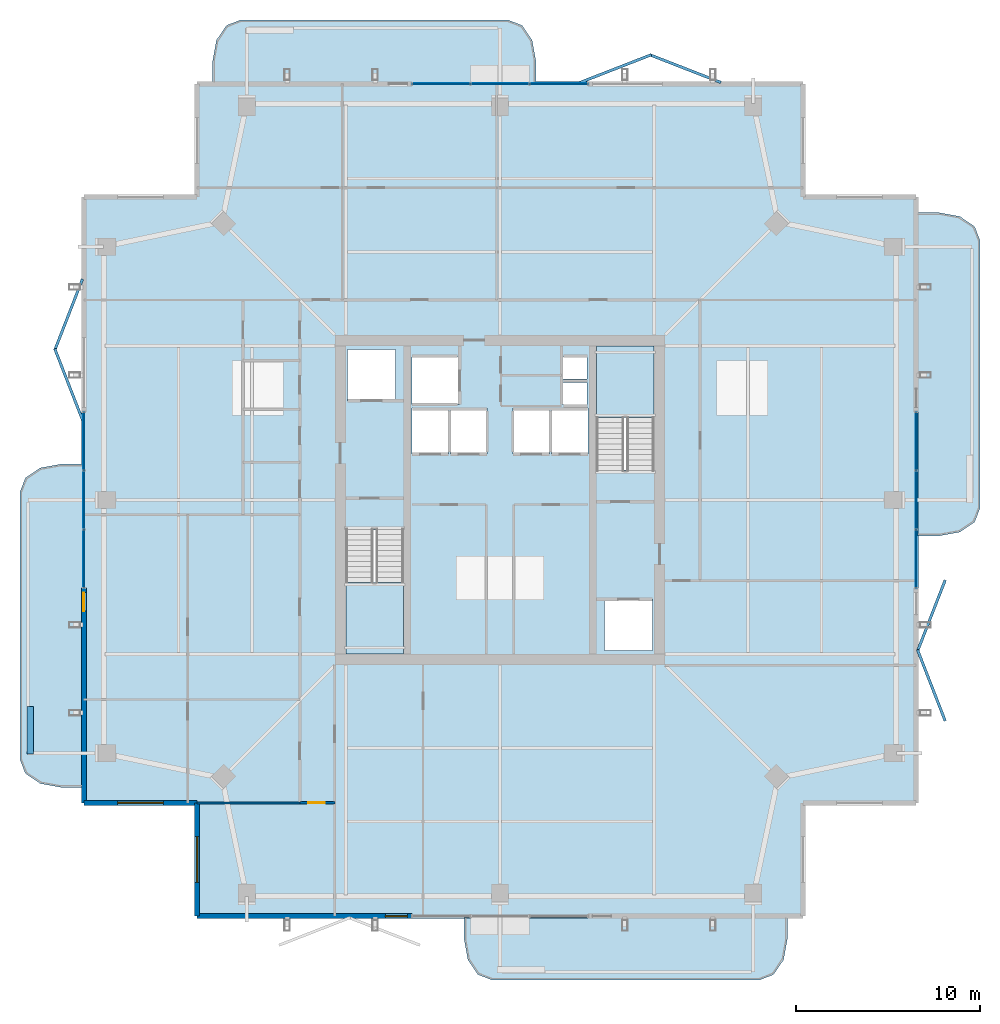
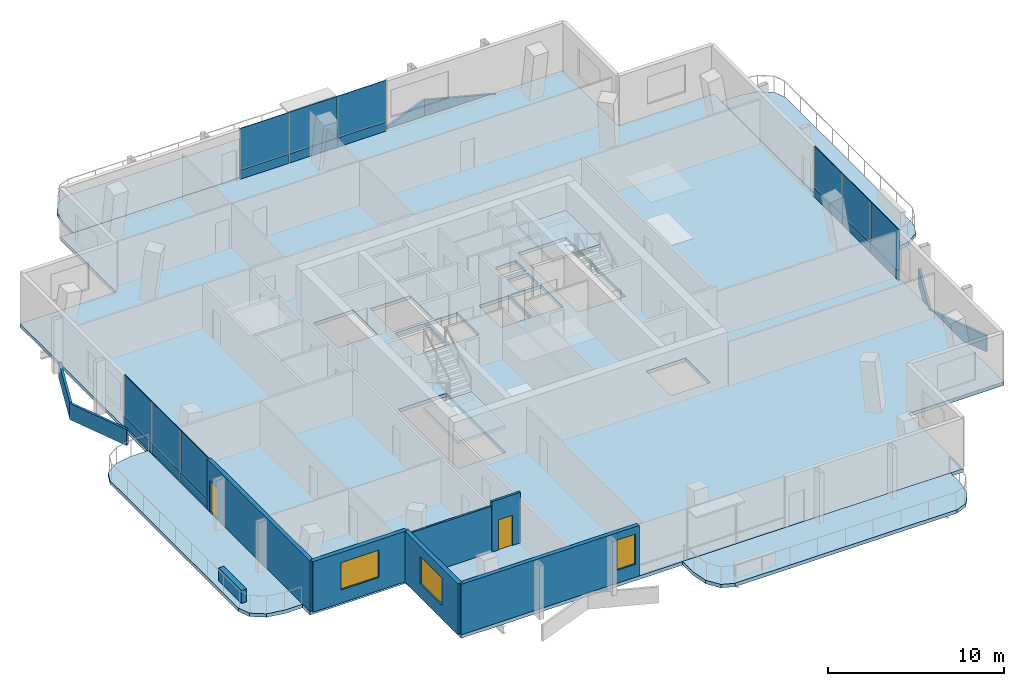
# One storey, part 13 of 20: 24 plates, 7 slabs, 7 walls, 3 windows, 2 doors, 5 openings, 5 elements without a shape of their own.
"""IFC4 building model written with IfcOpenShell, lengths in metres."""

from ifc_helpers import new_model, si_unit, direction, frame, frame_2d, origin, origin_2d, place, context, subcontext, project, spatial, polyline, rectangle, outline, extrude, material, layer, layer_set, type_object, element, fill, aggregate, save


model = new_model("IFC4")

# Units and contexts
model_context = context("Model", 3, precision=1e-05, world=origin(), true_north=direction((0.0, 1.0)))
body_context = subcontext(model_context, "Body", "Model", "MODEL_VIEW")
ifc_project = project(units=[si_unit("LENGTHUNIT", "METRE"), si_unit("AREAUNIT", "SQUARE_METRE"), si_unit("VOLUMEUNIT", "CUBIC_METRE"), si_unit("PLANEANGLEUNIT", "RADIAN"), si_unit("MASSUNIT", "GRAM", prefix="KILO")], contexts=[model_context])

# Site, building, storey
site_placement = place(None, origin())
site = spatial("IfcSite", under=ifc_project, at=site_placement, CompositionType="ELEMENT")
building_placement = place(site_placement, origin())
building = spatial("IfcBuilding", under=site, at=building_placement, Name="Belovzor Exchange Tower", CompositionType="ELEMENT")
storey_placement = place(building_placement, frame((0.0, 0.0, 329.25)))
storey = spatial("IfcBuildingStorey", under=building, at=storey_placement, Name="L82", CompositionType="ELEMENT", Elevation=329.25)

# Slab
ifc_material_1 = material(Name="Concrete C40/50", Category="concrete")
ifc_layer_1 = layer(ifc_material_1, 0.239990234375)
ifc_layer_set_1 = layer_set([ifc_layer_1], Name="Concrete C40/50")
slab_type_1 = type_object("IfcSlabType", Name="Composite High-Rise Floor Deck Slab 240", PredefinedType="FLOOR", material=ifc_layer_set_1)
slab_1_placement = place(storey_placement, frame((0.0, 0.0, -0.239990234375)))
element("IfcSlab", 1, at=slab_1_placement, inside=storey, type_object=slab_type_1, Name="SL-F240 Structural Slab L82", PredefinedType="FLOOR", context=body_context, shape_type="SweptSolid", body=[
    extrude(outline(polyline([(12.300048828125, 6.0), (45.300048828125, 6.0), (45.300048828125, 12.300048828125), (51.60009765625, 12.300048828125), (51.60009765625, 45.300048828125), (45.300048828125, 45.300048828125), (45.300048828125, 51.60009765625), (12.300048828125, 51.60009765625), (12.300048828125, 45.300048828125), (6.0, 45.300048828125), (6.0, 12.300048828125), (12.300048828125, 12.300048828125), (12.300048828125, 6.0)]), holes=[polyline([(20.39990234375, 27.175048828125), (20.39990234375, 20.39990234375), (23.550048828125, 20.39990234375), (23.550048828125, 27.175048828125), (20.39990234375, 27.175048828125)]), polyline([(37.199951171875, 30.425048828125), (37.199951171875, 37.199951171875), (34.050048828125, 37.199951171875), (34.050048828125, 30.425048828125), (37.199951171875, 30.425048828125)]), polyline([(20.5, 34.199951171875), (23.10009765625, 34.199951171875), (23.10009765625, 37.0), (20.5, 37.0), (20.5, 34.199951171875)]), polyline([(34.5, 20.60009765625), (37.10009765625, 20.60009765625), (37.10009765625, 23.39990234375), (34.5, 23.39990234375), (34.5, 20.60009765625)]), polyline([(24.0, 34.0), (26.60009765625, 34.0), (26.60009765625, 36.60009765625), (24.0, 36.60009765625), (24.0, 34.0)]), polyline([(24.0, 31.300048828125), (26.0, 31.300048828125), (26.0, 33.800048828125), (24.0, 33.800048828125), (24.0, 31.300048828125)]), polyline([(26.10009765625, 31.300048828125), (28.10009765625, 31.300048828125), (28.10009765625, 33.800048828125), (26.10009765625, 33.800048828125), (26.10009765625, 31.300048828125)]), polyline([(29.5, 31.300048828125), (31.5, 31.300048828125), (31.5, 33.800048828125), (29.5, 33.800048828125), (29.5, 31.300048828125)]), polyline([(31.60009765625, 31.300048828125), (33.60009765625, 31.300048828125), (33.60009765625, 33.800048828125), (31.60009765625, 33.800048828125), (31.60009765625, 31.300048828125)]), polyline([(32.199951171875, 34.0), (33.550048828125, 34.0), (33.550048828125, 35.199951171875), (32.199951171875, 35.199951171875), (32.199951171875, 34.0)]), polyline([(32.199951171875, 35.39990234375), (33.550048828125, 35.39990234375), (33.550048828125, 36.60009765625), (32.199951171875, 36.60009765625), (32.199951171875, 35.39990234375)])]), origin(), (0.0, 0.0, 1.0), 0.239990234375),
])

# Curtain wall, plates
ifc_material_2 = material(Name="Anodised Aluminium Framing", Category="aluminium")
ifc_layer_2 = layer(ifc_material_2, 0.179931640625)
ifc_layer_set_2 = layer_set([ifc_layer_2], Name="Anodised Aluminium Framing")
curtain_wall_type = type_object("IfcCurtainWallType", Name="Recessed Loggia Low-Iron Triple-Glazed Curtain Wall", PredefinedType="NOTDEFINED", material=ifc_layer_set_2)
curtain_wall_1_placement = place(storey_placement, origin())
curtain_wall_1 = element("IfcCurtainWall", 2, at=curtain_wall_1_placement, inside=storey, type_object=curtain_wall_type, Name="CW3 Recessed Loggia Low-Iron Triple-Glazed Curtain Wall L82", PredefinedType="NOTDEFINED")
ifc_material_3 = material(Name="Solar-Control Triple Glazing", Category="glass")
ifc_layer_3 = layer(ifc_material_3, 0.0439453125)
ifc_layer_set_3 = layer_set([ifc_layer_3], Name="Solar-Control Triple Glazing")
plate_type_1 = type_object("IfcPlateType", Name="Insulated Solar Glazing Curtain Panel 44", PredefinedType="CURTAIN_PANEL", material=ifc_layer_set_3)
plate_1_placement = place(storey_placement, frame((25.60009765625, 51.469970703125, 0.634033203125), z_axis=(0.0, 0.0, 1.0), x_axis=(1.0, 0.0, 0.0)))
plate_1 = element("IfcPlate", 3, at=plate_1_placement, type_object=plate_type_1, Name="GLZ-44 Glazed Curtain Panel 1", PredefinedType="CURTAIN_PANEL", context=body_context, shape_type="SweptSolid", body=[
    extrude(rectangle(XDim=3.18408203125, YDim=0.0439453125, at=origin_2d()), origin(), (0.0, 0.0, 1.0), 2.8759765625),
])
plate_2_placement = place(storey_placement, frame((28.800048828125, 51.469970703125, 0.634033203125), z_axis=(0.0, 0.0, 1.0), x_axis=(1.0, 0.0, 0.0)))
plate_2 = element("IfcPlate", 4, at=plate_2_placement, type_object=plate_type_1, Name="GLZ-44 Glazed Curtain Panel 2", PredefinedType="CURTAIN_PANEL", context=body_context, shape_type="SweptSolid", body=[
    extrude(rectangle(XDim=3.18408203125, YDim=0.0439453125, at=origin_2d()), origin(), (0.0, 0.0, 1.0), 2.8759765625),
])
plate_3_placement = place(storey_placement, frame((32.0, 51.469970703125, 0.634033203125), z_axis=(0.0, 0.0, 1.0), x_axis=(1.0, 0.0, 0.0)))
plate_3 = element("IfcPlate", 5, at=plate_3_placement, type_object=plate_type_1, Name="GLZ-44 Glazed Curtain Panel 3", PredefinedType="CURTAIN_PANEL", context=body_context, shape_type="SweptSolid", body=[
    extrude(rectangle(XDim=3.18408203125, YDim=0.0439453125, at=origin_2d()), origin(), (0.0, 0.0, 1.0), 2.8759765625),
])

curtain_wall_2_placement = place(storey_placement, origin())
curtain_wall_2 = element("IfcCurtainWall", 6, at=curtain_wall_2_placement, inside=storey, type_object=curtain_wall_type, Name="CW3 Recessed Loggia Low-Iron Triple-Glazed Curtain Wall L82", PredefinedType="NOTDEFINED")
plate_4_placement = place(storey_placement, frame((6.1298828125, 25.60009765625, 0.634033203125), z_axis=(0.0, 0.0, 1.0), x_axis=(0.0, 1.0, 0.0)))
plate_4 = element("IfcPlate", 7, at=plate_4_placement, type_object=plate_type_1, Name="GLZ-44 Glazed Curtain Panel 1", PredefinedType="CURTAIN_PANEL", context=body_context, shape_type="SweptSolid", body=[
    extrude(rectangle(XDim=3.18408203125, YDim=0.0439453125, at=origin_2d()), origin(), (0.0, 0.0, 1.0), 2.8759765625),
])
plate_5_placement = place(storey_placement, frame((6.1298828125, 28.800048828125, 0.634033203125), z_axis=(0.0, 0.0, 1.0), x_axis=(0.0, 1.0, 0.0)))
plate_5 = element("IfcPlate", 8, at=plate_5_placement, type_object=plate_type_1, Name="GLZ-44 Glazed Curtain Panel 2", PredefinedType="CURTAIN_PANEL", context=body_context, shape_type="SweptSolid", body=[
    extrude(rectangle(XDim=3.18408203125, YDim=0.0439453125, at=origin_2d()), origin(), (0.0, 0.0, 1.0), 2.8759765625),
])
plate_6_placement = place(storey_placement, frame((6.1298828125, 32.0, 0.634033203125), z_axis=(0.0, 0.0, 1.0), x_axis=(0.0, 1.0, 0.0)))
plate_6 = element("IfcPlate", 9, at=plate_6_placement, type_object=plate_type_1, Name="GLZ-44 Glazed Curtain Panel 3", PredefinedType="CURTAIN_PANEL", context=body_context, shape_type="SweptSolid", body=[
    extrude(rectangle(XDim=3.18408203125, YDim=0.0439453125, at=origin_2d()), origin(), (0.0, 0.0, 1.0), 2.8759765625),
])

curtain_wall_3_placement = place(storey_placement, origin())
curtain_wall_3 = element("IfcCurtainWall", 10, at=curtain_wall_3_placement, inside=storey, type_object=curtain_wall_type, Name="CW3 Recessed Loggia Low-Iron Triple-Glazed Curtain Wall L82", PredefinedType="NOTDEFINED")
plate_7_placement = place(storey_placement, frame((51.469970703125, 32.0, 0.634033203125), z_axis=(0.0, 0.0, 1.0), x_axis=(0.0, -1.0, 0.0)))
plate_7 = element("IfcPlate", 11, at=plate_7_placement, type_object=plate_type_1, Name="GLZ-44 Glazed Curtain Panel 1", PredefinedType="CURTAIN_PANEL", context=body_context, shape_type="SweptSolid", body=[
    extrude(rectangle(XDim=3.18408203125, YDim=0.0439453125, at=origin_2d()), origin(), (0.0, 0.0, 1.0), 2.8759765625),
])
plate_8_placement = place(storey_placement, frame((51.469970703125, 28.800048828125, 0.634033203125), z_axis=(0.0, 0.0, 1.0), x_axis=(0.0, -1.0, 0.0)))
plate_8 = element("IfcPlate", 12, at=plate_8_placement, type_object=plate_type_1, Name="GLZ-44 Glazed Curtain Panel 2", PredefinedType="CURTAIN_PANEL", context=body_context, shape_type="SweptSolid", body=[
    extrude(rectangle(XDim=3.18408203125, YDim=0.0439453125, at=origin_2d()), origin(), (0.0, 0.0, 1.0), 2.8759765625),
])
plate_9_placement = place(storey_placement, frame((51.469970703125, 25.60009765625, 0.634033203125), z_axis=(0.0, 0.0, 1.0), x_axis=(0.0, -1.0, 0.0)))
plate_9 = element("IfcPlate", 13, at=plate_9_placement, type_object=plate_type_1, Name="GLZ-44 Glazed Curtain Panel 3", PredefinedType="CURTAIN_PANEL", context=body_context, shape_type="SweptSolid", body=[
    extrude(rectangle(XDim=3.18408203125, YDim=0.0439453125, at=origin_2d()), origin(), (0.0, 0.0, 1.0), 2.8759765625),
])

# Stair, slab
ifc_material_4 = material(Name="Concrete C40/50", Category="concrete")
stair_type = type_object("IfcStairType", Name="Reinforced Concrete Dogleg Escape Stair 1350", PredefinedType="HALF_TURN_STAIR", material=ifc_material_4)
stair_1_placement = place(storey_placement, origin())
stair_1 = element("IfcStair", 14, at=stair_1_placement, inside=storey, type_object=stair_type, Name="L82 ST-1", PredefinedType="HALF_TURN_STAIR")
ifc_material_5 = material(Name="Concrete C40/50", Category="concrete")
ifc_layer_4 = layer(ifc_material_5, 0.199951171875)
ifc_layer_set_4 = layer_set([ifc_layer_4], Name="Concrete C40/50")
slab_type_2 = type_object("IfcSlabType", Name="Reinforced Concrete Stair Half-Landing Slab 200", PredefinedType="LANDING", material=ifc_layer_set_4)
slab_2_placement = place(storey_placement, frame((0.0, 0.0, 1.675048828125)))
slab_2 = element("IfcSlab", 15, at=slab_2_placement, type_object=slab_type_2, Name="ST-1 landing 1", PredefinedType="LANDING", context=body_context, shape_type="SweptSolid", body=[
    extrude(outline(polyline([(20.39990234375, 24.300048828125), (20.39990234375, 20.39990234375), (23.550048828125, 20.39990234375), (23.550048828125, 24.300048828125), (20.39990234375, 24.300048828125)])), origin(), (0.0, 0.0, 1.0), 0.199951171875),
])
aggregate(stair_1, [slab_2])

stair_2_placement = place(storey_placement, origin())
stair_2 = element("IfcStair", 16, at=stair_2_placement, inside=storey, type_object=stair_type, Name="L82 ST-2", PredefinedType="HALF_TURN_STAIR")
slab_3_placement = place(storey_placement, frame((0.0, 0.0, 1.675048828125)))
slab_3 = element("IfcSlab", 17, at=slab_3_placement, type_object=slab_type_2, Name="ST-2 landing 1", PredefinedType="LANDING", context=body_context, shape_type="SweptSolid", body=[
    extrude(outline(polyline([(37.199951171875, 33.300048828125), (37.199951171875, 37.199951171875), (34.050048828125, 37.199951171875), (34.050048828125, 33.300048828125), (37.199951171875, 33.300048828125)])), origin(), (0.0, 0.0, 1.0), 0.199951171875),
])
aggregate(stair_2, [slab_3])

# Plate
ifc_material_6 = material(Name="Extruded Architectural Terracotta", Category="masonry")
ifc_layer_5 = layer(ifc_material_6, 0.090087890625)
ifc_layer_set_5 = layer_set([ifc_layer_5], Name="Extruded Architectural Terracotta")
plate_type_2 = type_object("IfcPlateType", Name="Terracotta Shadow-Box Spandrel Panel 90", PredefinedType="CURTAIN_PANEL", material=ifc_layer_set_5)
plate_10_placement = place(storey_placement, frame((25.60009765625, 51.469970703125, 0.0), z_axis=(0.0, 0.0, 1.0), x_axis=(1.0, 0.0, 0.0)))
plate_10 = element("IfcPlate", 18, at=plate_10_placement, type_object=plate_type_2, Name="SPD-90 Spandrel Panel 1", PredefinedType="CURTAIN_PANEL", context=body_context, shape_type="SweptSolid", body=[
    extrude(rectangle(XDim=3.18408203125, YDim=0.090087890625, at=origin_2d()), origin(), (0.0, 0.0, 1.0), 0.6298828125),
])

plate_11_placement = place(storey_placement, frame((28.800048828125, 51.469970703125, 0.0), z_axis=(0.0, 0.0, 1.0), x_axis=(1.0, 0.0, 0.0)))
plate_11 = element("IfcPlate", 19, at=plate_11_placement, type_object=plate_type_2, Name="SPD-90 Spandrel Panel 2", PredefinedType="CURTAIN_PANEL", context=body_context, shape_type="SweptSolid", body=[
    extrude(rectangle(XDim=3.18408203125, YDim=0.090087890625, at=origin_2d()), origin(), (0.0, 0.0, 1.0), 0.6298828125),
])

plate_12_placement = place(storey_placement, frame((32.0, 51.469970703125, 0.0), z_axis=(0.0, 0.0, 1.0), x_axis=(1.0, 0.0, 0.0)))
plate_12 = element("IfcPlate", 20, at=plate_12_placement, type_object=plate_type_2, Name="SPD-90 Spandrel Panel 3", PredefinedType="CURTAIN_PANEL", context=body_context, shape_type="SweptSolid", body=[
    extrude(rectangle(XDim=3.18408203125, YDim=0.090087890625, at=origin_2d()), origin(), (0.0, 0.0, 1.0), 0.6298828125),
])

aggregate(curtain_wall_1, [plate_10, plate_1, plate_11, plate_2, plate_12, plate_3])

plate_13_placement = place(storey_placement, frame((6.1298828125, 25.60009765625, 0.0), z_axis=(0.0, 0.0, 1.0), x_axis=(0.0, 1.0, 0.0)))
plate_13 = element("IfcPlate", 21, at=plate_13_placement, type_object=plate_type_2, Name="SPD-90 Spandrel Panel 1", PredefinedType="CURTAIN_PANEL", context=body_context, shape_type="SweptSolid", body=[
    extrude(rectangle(XDim=3.18408203125, YDim=0.090087890625, at=origin_2d()), origin(), (0.0, 0.0, 1.0), 0.6298828125),
])

plate_14_placement = place(storey_placement, frame((6.1298828125, 28.800048828125, 0.0), z_axis=(0.0, 0.0, 1.0), x_axis=(0.0, 1.0, 0.0)))
plate_14 = element("IfcPlate", 22, at=plate_14_placement, type_object=plate_type_2, Name="SPD-90 Spandrel Panel 2", PredefinedType="CURTAIN_PANEL", context=body_context, shape_type="SweptSolid", body=[
    extrude(rectangle(XDim=3.18408203125, YDim=0.090087890625, at=origin_2d()), origin(), (0.0, 0.0, 1.0), 0.6298828125),
])

plate_15_placement = place(storey_placement, frame((6.1298828125, 32.0, 0.0), z_axis=(0.0, 0.0, 1.0), x_axis=(0.0, 1.0, 0.0)))
plate_15 = element("IfcPlate", 23, at=plate_15_placement, type_object=plate_type_2, Name="SPD-90 Spandrel Panel 3", PredefinedType="CURTAIN_PANEL", context=body_context, shape_type="SweptSolid", body=[
    extrude(rectangle(XDim=3.18408203125, YDim=0.090087890625, at=origin_2d()), origin(), (0.0, 0.0, 1.0), 0.6298828125),
])

aggregate(curtain_wall_2, [plate_13, plate_4, plate_14, plate_5, plate_15, plate_6])

plate_16_placement = place(storey_placement, frame((51.469970703125, 32.0, 0.0), z_axis=(0.0, 0.0, 1.0), x_axis=(0.0, -1.0, 0.0)))
plate_16 = element("IfcPlate", 24, at=plate_16_placement, type_object=plate_type_2, Name="SPD-90 Spandrel Panel 1", PredefinedType="CURTAIN_PANEL", context=body_context, shape_type="SweptSolid", body=[
    extrude(rectangle(XDim=3.18408203125, YDim=0.090087890625, at=origin_2d()), origin(), (0.0, 0.0, 1.0), 0.6298828125),
])

plate_17_placement = place(storey_placement, frame((51.469970703125, 28.800048828125, 0.0), z_axis=(0.0, 0.0, 1.0), x_axis=(0.0, -1.0, 0.0)))
plate_17 = element("IfcPlate", 25, at=plate_17_placement, type_object=plate_type_2, Name="SPD-90 Spandrel Panel 2", PredefinedType="CURTAIN_PANEL", context=body_context, shape_type="SweptSolid", body=[
    extrude(rectangle(XDim=3.18408203125, YDim=0.090087890625, at=origin_2d()), origin(), (0.0, 0.0, 1.0), 0.6298828125),
])

plate_18_placement = place(storey_placement, frame((51.469970703125, 25.60009765625, 0.0), z_axis=(0.0, 0.0, 1.0), x_axis=(0.0, -1.0, 0.0)))
plate_18 = element("IfcPlate", 26, at=plate_18_placement, type_object=plate_type_2, Name="SPD-90 Spandrel Panel 3", PredefinedType="CURTAIN_PANEL", context=body_context, shape_type="SweptSolid", body=[
    extrude(rectangle(XDim=3.18408203125, YDim=0.090087890625, at=origin_2d()), origin(), (0.0, 0.0, 1.0), 0.6298828125),
])

aggregate(curtain_wall_3, [plate_16, plate_7, plate_17, plate_8, plate_18, plate_9])

# Slabs
ifc_material_7 = material(Name="Concrete C40/50", Category="concrete")
ifc_layer_6 = layer(ifc_material_7, 0.239990234375)
ifc_layer_set_6 = layer_set([ifc_layer_6], Name="Concrete C40/50")
slab_type_3 = type_object("IfcSlabType", Name="Thermally Broken Upper Balcony Slab 240", PredefinedType="FLOOR", material=ifc_layer_set_6)
slab_4_placement = place(storey_placement, frame((0.0, 0.0, -0.239990234375)))
element("IfcSlab", 27, at=slab_4_placement, inside=storey, type_object=slab_type_3, Name="SL-BAL220 Planted Balcony Loggia L82 South", PredefinedType="FLOOR", context=body_context, shape_type="SweptSolid", body=[
    extrude(outline(polyline([(26.85009765625, 6.014892578125), (26.85009765625, 4.85009765625), (27.051025390625, 3.75), (27.60009765625, 2.945068359375), (28.35009765625, 2.64990234375), (42.949951171875, 2.64990234375), (43.699951171875, 2.945068359375), (44.2490234375, 3.75), (44.449951171875, 4.85009765625), (44.449951171875, 6.014892578125), (26.85009765625, 6.014892578125)])), origin(), (0.0, 0.0, 1.0), 0.239990234375),
])
slab_5_placement = place(storey_placement, frame((0.0, 0.0, -0.239990234375)))
element("IfcSlab", 28, at=slab_5_placement, inside=storey, type_object=slab_type_3, Name="SL-BAL220 Planted Balcony Loggia L82 North", PredefinedType="FLOOR", context=body_context, shape_type="SweptSolid", body=[
    extrude(outline(polyline([(30.75, 51.5849609375), (30.75, 52.75), (30.549072265625, 53.85009765625), (30.0, 54.655029296875), (29.25, 54.949951171875), (14.64990234375, 54.949951171875), (13.89990234375, 54.655029296875), (13.35107421875, 53.85009765625), (13.14990234375, 52.75), (13.14990234375, 51.5849609375), (30.75, 51.5849609375)])), origin(), (0.0, 0.0, 1.0), 0.239990234375),
])
slab_6_placement = place(storey_placement, frame((0.0, 0.0, -0.239990234375)))
element("IfcSlab", 29, at=slab_6_placement, inside=storey, type_object=slab_type_3, Name="SL-BAL220 Planted Balcony Loggia L82 East", PredefinedType="FLOOR", context=body_context, shape_type="SweptSolid", body=[
    extrude(outline(polyline([(51.5849609375, 26.85009765625), (52.75, 26.85009765625), (53.85009765625, 27.051025390625), (54.655029296875, 27.60009765625), (54.949951171875, 28.35009765625), (54.949951171875, 42.949951171875), (54.655029296875, 43.699951171875), (53.85009765625, 44.2490234375), (52.75, 44.449951171875), (51.5849609375, 44.449951171875), (51.5849609375, 26.85009765625)])), origin(), (0.0, 0.0, 1.0), 0.239990234375),
])
slab_7_placement = place(storey_placement, frame((0.0, 0.0, -0.239990234375)))
element("IfcSlab", 30, at=slab_7_placement, inside=storey, type_object=slab_type_3, Name="SL-BAL220 Planted Balcony Loggia L82 West", PredefinedType="FLOOR", context=body_context, shape_type="SweptSolid", body=[
    extrude(outline(polyline([(6.014892578125, 30.75), (4.85009765625, 30.75), (3.75, 30.549072265625), (2.945068359375, 30.0), (2.64990234375, 29.25), (2.64990234375, 14.64990234375), (2.945068359375, 13.89990234375), (3.75, 13.35107421875), (4.85009765625, 13.14990234375), (6.014892578125, 13.14990234375), (6.014892578125, 30.75)])), origin(), (0.0, 0.0, 1.0), 0.239990234375),
])

# Plates
ifc_material_8 = material(Name="Extruded Architectural Terracotta", Category="masonry")
ifc_layer_7 = layer(ifc_material_8, 0.14990234375)
ifc_layer_set_7 = layer_set([ifc_layer_7], Name="Extruded Architectural Terracotta")
plate_type_3 = type_object("IfcPlateType", Name="Upper-Crown Deep Folded Zigzag Terracotta Spandrel Louvre 150", PredefinedType="USERDEFINED", material=ifc_layer_set_7)
for number, where, z_axis, x_axis, name in (
    (31, (52.300048828125, 18.699951171875, -1.10498046875), (0.0, 0.0, 1.0), (-0.362925986758, 0.931817969421, 0.0), "LVR-ZZ3 Zigzag Terracotta Spandrel Louvre L82 E1A"),
    (32, (52.300048828125, 22.5, -1.10498046875), (0.0, 0.0, 1.0), (0.362925986758, 0.931817969421, 0.0), "LVR-ZZ3 Zigzag Terracotta Spandrel Louvre L82 E1B"),
    (33, (35.10009765625, 52.300048828125, -1.10498046875), (0.0, 0.0, 1.0), (0.931817969421, 0.362925986758, 0.0), "LVR-ZZ3 Zigzag Terracotta Spandrel Louvre L82 N2A"),
    (34, (38.89990234375, 52.300048828125, -1.10498046875), (0.0, 0.0, 1.0), (0.931817969421, -0.362925986758, 0.0), "LVR-ZZ3 Zigzag Terracotta Spandrel Louvre L82 N2B"),
    (35, (5.300048828125, 35.10009765625, -1.10498046875), (0.0, 0.0, 1.0), (-0.362925986758, 0.931817969421, 0.0), "LVR-ZZ3 Zigzag Terracotta Spandrel Louvre L82 W2A"),
    (36, (5.300048828125, 38.89990234375, -1.10498046875), (0.0, 0.0, 1.0), (0.362925986758, 0.931817969421, 0.0), "LVR-ZZ3 Zigzag Terracotta Spandrel Louvre L82 W2B"),
):
    element("IfcPlate", number, at=place(storey_placement, frame(where, z_axis=z_axis, x_axis=x_axis)), inside=storey, type_object=plate_type_3, Name=name, ObjectType="SPANDREL_LOUVRE", PredefinedType="USERDEFINED", context=body_context, shape_type="SweptSolid", body=[
        extrude(rectangle(XDim=4.157958984375, YDim=0.14990234375, at=origin_2d()), origin(), (0.0, 0.0, 1.0), 1.1201171875),
    ])

# Wall
ifc_material_9 = material(Name="Acoustic Plasterboard on Galvanised Studs", Category="gypsum")
ifc_layer_8 = layer(ifc_material_9, 0.1201171875)
ifc_layer_set_8 = layer_set([ifc_layer_8], Name="Acoustic Plasterboard on Galvanised Studs")
wall_type_1 = type_object("IfcWallType", Name="Acoustic Double-Stud Partition Wall 120", PredefinedType="PARTITIONING", material=ifc_layer_set_8)
wall_1_placement = place(storey_placement, frame((12.300048828125, 12.300048828125, 0.0), z_axis=(0.0, 0.0, 1.0), x_axis=(1.0, 0.0, 0.0)))
element("IfcWall", 37, at=wall_1_placement, inside=storey, type_object=wall_type_1, Name="W-P120 Partition Wall W-L82-SWS", PredefinedType="PARTITIONING", context=body_context, shape_type="SweptSolid", body=[
    extrude(rectangle(XDim=5.599853515625, YDim=0.1201171875, at=frame_2d((2.7998046875, 0.0))), origin(), (0.0, 0.0, 1.0), 3.195068359375),
])

# Wall, opening, door
ifc_material_10 = material(Name="Fire-Rated Gypsum Block and Mineral Wool", Category="gypsum")
ifc_layer_9 = layer(ifc_material_10, 0.14990234375)
ifc_layer_set_9 = layer_set([ifc_layer_9], Name="Fire-Rated Gypsum Block and Mineral Wool")
wall_type_2 = type_object("IfcWallType", Name="Fire-Rated Gypsum Block Corridor Wall 150", PredefinedType="PARTITIONING", material=ifc_layer_set_9)
wall_2_placement = place(storey_placement, frame((17.89990234375, 12.300048828125, 0.0), z_axis=(0.0, 0.0, 1.0), x_axis=(1.0, 0.0, 0.0)))
wall_2 = element("IfcWall", 38, at=wall_2_placement, inside=storey, type_object=wall_type_2, Name="W-P150 Partition Wall W-L82-CW-END", PredefinedType="PARTITIONING", context=body_context, shape_type="SweptSolid", body=[
    extrude(rectangle(XDim=1.900146484375, YDim=0.14990234375, at=frame_2d((0.9501953125, 0.0))), origin(), (0.0, 0.0, 1.0), 3.510009765625),
])
opening_1_placement = place(wall_2_placement, frame((0.449951171875, 0.0, 0.0)))
opening_1 = element("IfcOpeningElement", 39, at=opening_1_placement, cuts=wall_2, Name="Opening D-FD60-090", PredefinedType="OPENING", context=body_context, shape_type="SweptSolid", body=[
    extrude(rectangle(XDim=0.89990234375, YDim=2.10009765625, at=frame_2d((0.449951171875, 1.050048828125))), frame((0.0, 0.0849609375, 0.0), z_axis=(0.0, -1.0, 0.0), x_axis=(1.0, 0.0, 0.0)), (0.0, 0.0, 1.0), 0.169921875),
])
ifc_material_11 = material(Name="Acoustic Timber Fire Leaf", Category="wood")
door_type_1 = type_object("IfcDoorType", Name="Core Service & Restroom Fire Door 900x2100", OperationType="NOTDEFINED", PredefinedType="DOOR", material=ifc_material_11)
door_1_placement = place(opening_1_placement, origin())
door_1 = element("IfcDoor", 40, at=door_1_placement, inside=storey, type_object=door_type_1, Name="D-FD60-090 Core Service & Restroom Fire Door 900x2100", OperationType="SINGLE_SWING_LEFT", OverallHeight=2.10009765625, OverallWidth=0.89990234375, PredefinedType="DOOR", context=body_context, shape_type="SweptSolid", body=[
    extrude(rectangle(XDim=0.89990234375, YDim=2.10009765625, at=frame_2d((0.449951171875, 1.050048828125))), frame((0.0, 0.02490234375, 0.0), z_axis=(0.0, -1.0, 0.0), x_axis=(1.0, 0.0, 0.0)), (0.0, 0.0, 1.0), 0.050048828125),
])
fill(opening_1, door_1)

# Wall, opening, window
ifc_material_12 = material(Name="Precast concrete C40/50", Category="concrete")
ifc_layer_10 = layer(ifc_material_12, 0.280029296875)
ifc_layer_set_10 = layer_set([ifc_layer_10], Name="Precast concrete C40/50")
wall_type_3 = type_object("IfcWallType", Name="Precast Concrete Notched Corner Frame Wall 280", PredefinedType="SOLIDWALL", material=ifc_layer_set_10)
wall_3_placement = place(storey_placement, frame((12.300048828125, 6.1298828125, 0.0), z_axis=(0.0, 0.0, 1.0), x_axis=(0.0, 1.0, 0.0)))
wall_3 = element("IfcWall", 41, at=wall_3_placement, inside=storey, type_object=wall_type_3, Name="W-CRN280 Precast Concrete Notched Corner Frame Wall 280 L82", PredefinedType="SOLIDWALL", context=body_context, shape_type="SweptSolid", body=[
    extrude(rectangle(XDim=6.170166015625, YDim=0.280029296875, at=frame_2d((3.0849609375, 0.0))), origin(), (0.0, 0.0, 1.0), 3.510009765625),
])
opening_2_placement = place(wall_3_placement, frame((1.8349609375, 0.0, 0.89990234375)))
opening_2 = element("IfcOpeningElement", 42, at=opening_2_placement, cuts=wall_3, Name="Opening WN-CRN250", PredefinedType="OPENING", context=body_context, shape_type="SweptSolid", body=[
    extrude(rectangle(XDim=2.5, YDim=1.89990234375, at=frame_2d((1.25, 0.949951171875))), frame((0.0, 0.14990234375, 0.0), z_axis=(0.0, -1.0, 0.0), x_axis=(1.0, 0.0, 0.0)), (0.0, 0.0, 1.0), 0.300048828125),
])
ifc_material_13 = material(Name="Thermally Broken Aluminium and Triple Glazing", Category="aluminium")
window_type_1 = type_object("IfcWindowType", Name="Streamline Moderne Corner Wrap Ribbon Window 2500x1900", PartitioningType="SINGLE_PANEL", PredefinedType="WINDOW", material=ifc_material_13)
window_1_placement = place(opening_2_placement, origin())
window_1 = element("IfcWindow", 43, at=window_1_placement, inside=storey, type_object=window_type_1, Name="WN-CRN250 Streamline Moderne Corner Wrap Ribbon Window 2500x1900", OverallHeight=1.89990234375, OverallWidth=2.5, PartitioningType="SINGLE_PANEL", PredefinedType="WINDOW", context=body_context, shape_type="SweptSolid", body=[
    extrude(rectangle(XDim=2.5, YDim=1.89990234375, at=frame_2d((1.25, 0.949951171875))), frame((0.0, 0.030029296875, 0.0), z_axis=(0.0, -1.0, 0.0), x_axis=(1.0, 0.0, 0.0)), (0.0, 0.0, 1.0), 0.06005859375),
])
fill(opening_2, window_1)

wall_4_placement = place(storey_placement, frame((12.300048828125, 12.300048828125, 0.0), z_axis=(0.0, 0.0, 1.0), x_axis=(-1.0, 0.0, 0.0)))
wall_4 = element("IfcWall", 44, at=wall_4_placement, inside=storey, type_object=wall_type_3, Name="W-CRN280 Precast Concrete Notched Corner Frame Wall 280 L82", PredefinedType="SOLIDWALL", context=body_context, shape_type="SweptSolid", body=[
    extrude(rectangle(XDim=6.170166015625, YDim=0.280029296875, at=frame_2d((3.0849609375, 0.0))), origin(), (0.0, 0.0, 1.0), 3.510009765625),
])
opening_3_placement = place(wall_4_placement, frame((1.8349609375, 0.0, 0.89990234375)))
opening_3 = element("IfcOpeningElement", 45, at=opening_3_placement, cuts=wall_4, Name="Opening WN-CRN250", PredefinedType="OPENING", context=body_context, shape_type="SweptSolid", body=[
    extrude(rectangle(XDim=2.5, YDim=1.89990234375, at=frame_2d((1.25, 0.949951171875))), frame((0.0, 0.14990234375, 0.0), z_axis=(0.0, -1.0, 0.0), x_axis=(1.0, 0.0, 0.0)), (0.0, 0.0, 1.0), 0.300048828125),
])
window_2_placement = place(opening_3_placement, origin())
window_2 = element("IfcWindow", 46, at=window_2_placement, inside=storey, type_object=window_type_1, Name="WN-CRN250 Streamline Moderne Corner Wrap Ribbon Window 2500x1900", OverallHeight=1.89990234375, OverallWidth=2.5, PartitioningType="SINGLE_PANEL", PredefinedType="WINDOW", context=body_context, shape_type="SweptSolid", body=[
    extrude(rectangle(XDim=2.5, YDim=1.89990234375, at=frame_2d((1.25, 0.949951171875))), frame((0.0, 0.030029296875, 0.0), z_axis=(0.0, -1.0, 0.0), x_axis=(1.0, 0.0, 0.0)), (0.0, 0.0, 1.0), 0.06005859375),
])
fill(opening_3, window_2)

ifc_material_14 = material(Name="Precast concrete C40/50", Category="concrete")
ifc_layer_11 = layer(ifc_material_14, 0.260009765625)
ifc_layer_set_11 = layer_set([ifc_layer_11], Name="Precast concrete C40/50")
wall_type_4 = type_object("IfcWallType", Name="Precast Concrete Perimeter Loggia Frame Wall 260", PredefinedType="SOLIDWALL", material=ifc_layer_set_11)
wall_5_placement = place(storey_placement, frame((24.0, 6.1298828125, 0.0), z_axis=(0.0, 0.0, 1.0), x_axis=(-1.0, 0.0, 0.0)))
wall_5 = element("IfcWall", 47, at=wall_5_placement, inside=storey, type_object=wall_type_4, Name="W-EXT260 Precast Concrete Perimeter Loggia Frame Wall 260 L82", PredefinedType="SOLIDWALL", context=body_context, shape_type="SweptSolid", body=[
    extrude(rectangle(XDim=11.699951171875, YDim=0.260009765625, at=frame_2d((5.85009765625, 0.0))), origin(), (0.0, 0.0, 1.0), 3.510009765625),
])
opening_4_placement = place(wall_5_placement, frame((0.25, 0.0, 0.89990234375)))
opening_4 = element("IfcOpeningElement", 48, at=opening_4_placement, cuts=wall_5, Name="Opening WN-CRN120", PredefinedType="OPENING", context=body_context, shape_type="SweptSolid", body=[
    extrude(rectangle(XDim=1.199951171875, YDim=2.10009765625, at=frame_2d((0.60009765625, 1.050048828125))), frame((0.0, 0.139892578125, 0.0), z_axis=(0.0, -1.0, 0.0), x_axis=(1.0, 0.0, 0.0)), (0.0, 0.0, 1.0), 0.280029296875),
])
ifc_material_15 = material(Name="Thermally Broken Aluminium and Triple Glazing", Category="aluminium")
window_type_2 = type_object("IfcWindowType", Name="Streamline Notched Corner Window 1200x2100", PartitioningType="SINGLE_PANEL", PredefinedType="WINDOW", material=ifc_material_15)
window_3_placement = place(opening_4_placement, origin())
window_3 = element("IfcWindow", 49, at=window_3_placement, inside=storey, type_object=window_type_2, Name="WN-CRN120 Streamline Notched Corner Window 1200x2100", OverallHeight=2.10009765625, OverallWidth=1.199951171875, PartitioningType="SINGLE_PANEL", PredefinedType="WINDOW", context=body_context, shape_type="SweptSolid", body=[
    extrude(rectangle(XDim=1.199951171875, YDim=2.10009765625, at=frame_2d((0.60009765625, 1.050048828125))), frame((0.0, 0.030029296875, 0.0), z_axis=(0.0, -1.0, 0.0), x_axis=(1.0, 0.0, 0.0)), (0.0, 0.0, 1.0), 0.06005859375),
])
fill(opening_4, window_3)

# Wall, opening, door
wall_6_placement = place(storey_placement, frame((6.1298828125, 12.300048828125, 0.0), z_axis=(0.0, 0.0, 1.0), x_axis=(0.0, 1.0, 0.0)))
wall_6 = element("IfcWall", 50, at=wall_6_placement, inside=storey, type_object=wall_type_4, Name="W-EXT260 Precast Concrete Perimeter Loggia Frame Wall 260 L82", PredefinedType="SOLIDWALL", context=body_context, shape_type="SweptSolid", body=[
    extrude(rectangle(XDim=11.699951171875, YDim=0.260009765625, at=frame_2d((5.85009765625, 0.0))), origin(), (0.0, 0.0, 1.0), 3.510009765625),
])
opening_5_placement = place(wall_6_placement, frame((10.449951171875, 0.0, 0.0)))
opening_5 = element("IfcOpeningElement", 51, at=opening_5_placement, cuts=wall_6, Name="Opening D-BAL100", PredefinedType="OPENING", context=body_context, shape_type="SweptSolid", body=[
    extrude(rectangle(XDim=1.0, YDim=2.199951171875, at=frame_2d((0.5, 1.10009765625))), frame((0.0, 0.139892578125, 0.0), z_axis=(0.0, -1.0, 0.0), x_axis=(1.0, 0.0, 0.0)), (0.0, 0.0, 1.0), 0.280029296875),
])
ifc_material_16 = material(Name="Thermally Broken Anodised Aluminium and Laminated Glass", Category="aluminium")
door_type_2 = type_object("IfcDoorType", Name="Planted Loggia Terrace Glazed Door 1000x2200", OperationType="SINGLE_SWING_LEFT", PredefinedType="DOOR", material=ifc_material_16)
door_2_placement = place(opening_5_placement, origin())
door_2 = element("IfcDoor", 52, at=door_2_placement, inside=storey, type_object=door_type_2, Name="D-BAL100 Balcony Terrace Door L82 W", OperationType="SINGLE_SWING_RIGHT", OverallHeight=2.199951171875, OverallWidth=1.0, PredefinedType="DOOR", context=body_context, shape_type="SweptSolid", body=[
    extrude(rectangle(XDim=1.0, YDim=2.199951171875, at=frame_2d((0.5, 1.10009765625))), frame((0.0, 0.02490234375, 0.0), z_axis=(0.0, -1.0, 0.0), x_axis=(1.0, 0.0, 0.0)), (0.0, 0.0, 1.0), 0.050048828125),
])
fill(opening_5, door_2)

# Wall
ifc_material_17 = material(Name="Precast concrete C40/50", Category="concrete")
ifc_layer_12 = layer(ifc_material_17, 0.35009765625)
ifc_layer_set_12 = layer_set([ifc_layer_12], Name="Precast concrete C40/50")
wall_type_5 = type_object("IfcWallType", Name="Precast Concrete Structural Tree Planter Trough 350", PredefinedType="PARAPET", material=ifc_layer_set_12)
wall_7_placement = place(storey_placement, frame((3.199951171875, 14.949951171875, 0.0), z_axis=(0.0, 0.0, 1.0), x_axis=(0.0, 1.0, 0.0)))
element("IfcWall", 53, at=wall_7_placement, inside=storey, type_object=wall_type_5, Name="PT-350 Precast Concrete Structural Tree Planter Trough 350 L82", PredefinedType="PARAPET", context=body_context, shape_type="SweptSolid", body=[
    extrude(rectangle(XDim=2.60009765625, YDim=0.35009765625, at=frame_2d((1.300048828125, 0.0))), origin(), (0.0, 0.0, 1.0), 0.89990234375),
])

save(model, "model.ifc")
